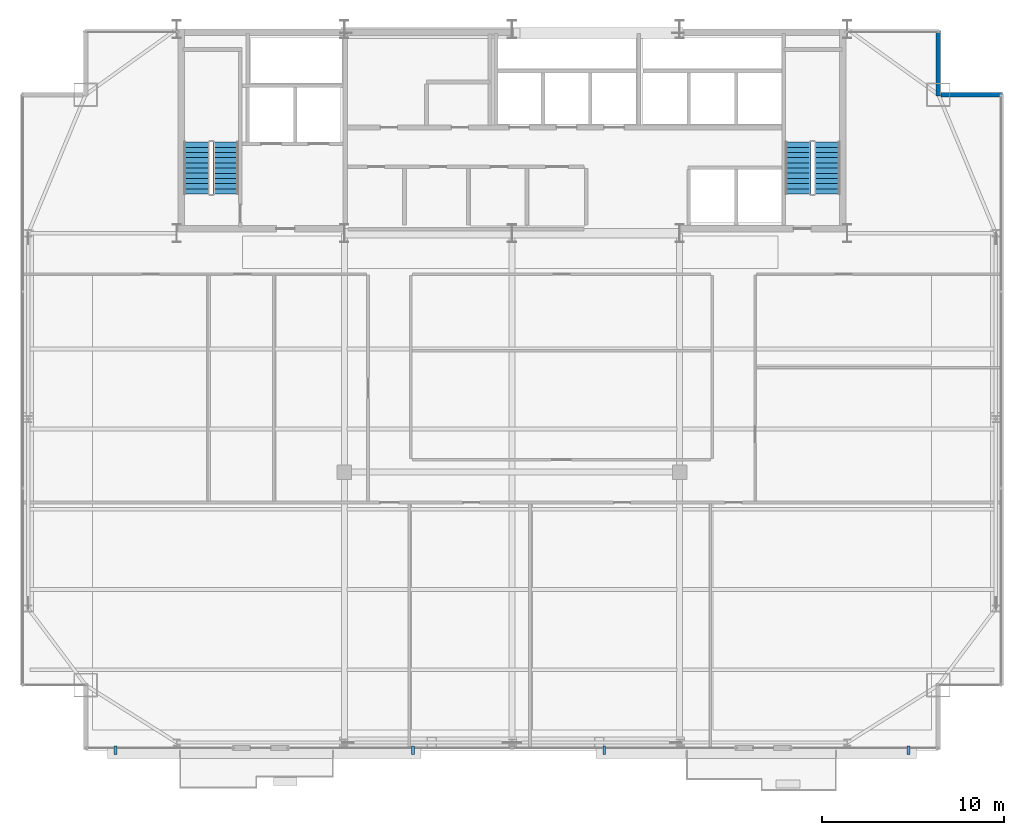
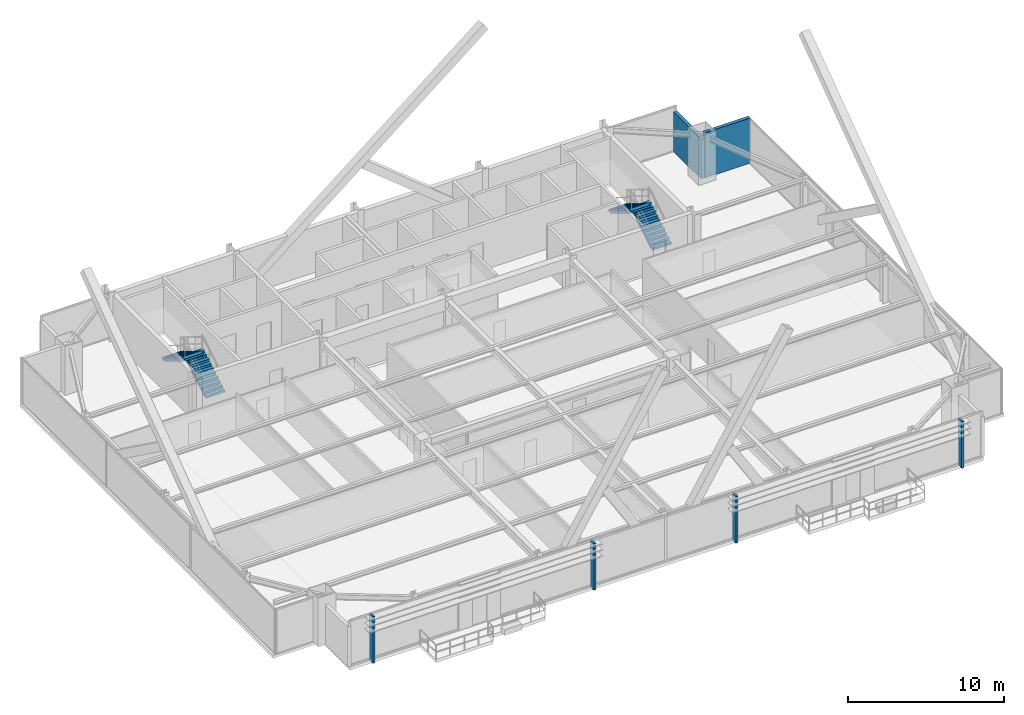
# One storey, part 32 of 34: 4 discrete accessories, 4 stair flights, 2 walls, 2 elements without a shape of their own.
"""IFC4 building model written with IfcOpenShell, lengths in metres."""

from ifc_helpers import new_model, si_unit, direction, frame, frame_2d, origin, origin_2d, place, context, subcontext, project, spatial, polyline, rectangle, outline, extrude, source, transform, mapped, material, layer, layer_set, type_object, type_shapes, element, aggregate, save


model = new_model("IFC4")

# Units and contexts
model_context = context("Model", 3, precision=1e-05, world=origin(), true_north=direction((0.0, 1.0)))
body_context = subcontext(model_context, "Body", "Model", "MODEL_VIEW")
ifc_project = project(units=[si_unit("LENGTHUNIT", "METRE"), si_unit("AREAUNIT", "SQUARE_METRE"), si_unit("VOLUMEUNIT", "CUBIC_METRE"), si_unit("PLANEANGLEUNIT", "RADIAN"), si_unit("MASSUNIT", "GRAM", prefix="KILO")], contexts=[model_context])

# Site, building, storey
site_placement = place(None, origin())
site = spatial("IfcSite", under=ifc_project, at=site_placement, CompositionType="ELEMENT")
building_placement = place(site_placement, origin())
building = spatial("IfcBuilding", under=site, at=building_placement, Name="Varnel Quay Broadcast Tower", CompositionType="ELEMENT")
storey_placement = place(building_placement, frame((0.0, 0.0, 176.199951171875)))
storey = spatial("IfcBuildingStorey", under=building, at=storey_placement, Name="L43", CompositionType="ELEMENT", Elevation=176.199951171875)

# Walls
ifc_material_1 = material(Name="Precast Architectural Concrete C40/50", Category="concrete")
ifc_layer_1 = layer(ifc_material_1, 0.25, Name="Precast Architectural Concrete C40/50")
ifc_layer_set_1 = layer_set([ifc_layer_1], Name="Precast Architectural Concrete C40/50")
wall_type = type_object("IfcWallType", Name="Wall_ExtTerrace250", PredefinedType="SOLIDWALL", material=ifc_layer_set_1)
wall_1_placement = place(storey_placement, frame((57.530029296875, 43.199951171875, 0.0), z_axis=(0.0, 0.0, 1.0), x_axis=(1.0, 0.0, 0.0)))
element("IfcWall", 1, at=wall_1_placement, inside=storey, type_object=wall_type, Name="L43 Mega-Column Notch Cladding Wall NNE1", PredefinedType="SOLIDWALL", context=body_context, shape_type="SweptSolid", body=[
    extrude(rectangle(XDim=3.389892578125, YDim=0.25, at=frame_2d((1.69482421875, 0.0))), origin(), (0.0, 0.0, 1.0), 3.530029296875),
])
wall_2_placement = place(storey_placement, frame((57.39990234375, 43.1201171875, 0.0), z_axis=(0.0, 0.0, 1.0), x_axis=(0.0, 1.0, 0.0)))
element("IfcWall", 2, at=wall_2_placement, inside=storey, type_object=wall_type, Name="L43 Mega-Column Notch Cladding Wall NNE2", PredefinedType="SOLIDWALL", context=body_context, shape_type="SweptSolid", body=[
    extrude(rectangle(XDim=3.599853515625, YDim=0.25, at=frame_2d((1.7998046875, 0.0))), origin(), (0.0, 0.0, 1.0), 3.108154296875),
])

# Stair, stair flights
ifc_material_2 = material(Name="Precast Structural Concrete C40/50", Category="concrete")
stair_type_1 = type_object("IfcStairType", Name="Stair_ST-01", PredefinedType="HALF_TURN_STAIR", material=ifc_material_2)
stair_1_placement = place(storey_placement, origin())
stair_1 = element("IfcStair", 3, at=stair_1_placement, inside=storey, type_object=stair_type_1, Name="L43 West Core Exit Stair 1", PredefinedType="HALF_TURN_STAIR")
stair_flight_type_1 = type_object("IfcStairFlightType", Name="Flight_ST-01", PredefinedType="STRAIGHT", material=ifc_material_2)
stair_flight_1_placement = place(storey_placement, frame((18.300048828125, 37.75, 0.0), z_axis=(0.0, 0.0, 1.0), x_axis=(0.0, 1.0, 0.0)))
stair_flight_1 = element("IfcStairFlight", 4, at=stair_flight_1_placement, type_object=stair_flight_type_1, Name="ST-01 flight 1", NumberOfRisers=11, NumberOfTreads=10, PredefinedType="STRAIGHT", RiserHeight=0.172727273, TreadLength=0.285, context=body_context, shape_type="SweptSolid", body=[
    extrude(outline(polyline([(0.0, 0.0), (0.0, 0.172607421875), (0.284912109375, 0.172607421875), (0.284912109375, 0.345458984375), (0.570068359375, 0.345458984375), (0.570068359375, 0.51806640625), (0.85498046875, 0.51806640625), (0.85498046875, 0.69091796875), (1.139892578125, 0.69091796875), (1.139892578125, 0.863525390625), (1.425048828125, 0.863525390625), (1.425048828125, 1.036376953125), (1.7099609375, 1.036376953125), (1.7099609375, 1.208984375), (1.9951171875, 1.208984375), (1.9951171875, 1.3818359375), (2.280029296875, 1.3818359375), (2.280029296875, 1.554443359375), (2.56494140625, 1.554443359375), (2.56494140625, 1.727294921875), (2.85009765625, 1.727294921875), (2.85009765625, 1.89990234375), (2.85009765625, 1.552001953125), (0.289306640625, 0.0), (0.0, 0.0)])), frame((0.0, 0.699951171875, 0.0), z_axis=(0.0, -1.0, 0.0), x_axis=(1.0, 0.0, 0.0)), (0.0, 0.0, 1.0), 1.39990234375),
])
stair_flight_2_placement = place(storey_placement, frame((16.699951171875, 40.60009765625, 1.900146484375), z_axis=(0.0, 0.0, 1.0), x_axis=(0.0, -1.0, 0.0)))
stair_flight_2 = element("IfcStairFlight", 5, at=stair_flight_2_placement, type_object=stair_flight_type_1, Name="ST-01 flight 2", NumberOfRisers=11, NumberOfTreads=10, PredefinedType="STRAIGHT", RiserHeight=0.172727273, TreadLength=0.285, context=body_context, shape_type="SweptSolid", body=[
    extrude(outline(polyline([(0.0, 0.0), (0.0, 0.172607421875), (0.284912109375, 0.172607421875), (0.284912109375, 0.345458984375), (0.570068359375, 0.345458984375), (0.570068359375, 0.51806640625), (0.85498046875, 0.51806640625), (0.85498046875, 0.69091796875), (1.139892578125, 0.69091796875), (1.139892578125, 0.863525390625), (1.425048828125, 0.863525390625), (1.425048828125, 1.036376953125), (1.7099609375, 1.036376953125), (1.7099609375, 1.208984375), (1.9951171875, 1.208984375), (1.9951171875, 1.3818359375), (2.280029296875, 1.3818359375), (2.280029296875, 1.554443359375), (2.56494140625, 1.554443359375), (2.56494140625, 1.727294921875), (2.85009765625, 1.727294921875), (2.85009765625, 1.89990234375), (2.85009765625, 1.552001953125), (0.289306640625, 0.0), (0.0, 0.0)])), frame((0.0, 0.699951171875, 0.0), z_axis=(0.0, -1.0, 0.0), x_axis=(1.0, 0.0, 0.0)), (0.0, 0.0, 1.0), 1.39990234375),
])
aggregate(stair_1, [stair_flight_1, stair_flight_2])

stair_type_2 = type_object("IfcStairType", Name="Stair_ST-02", PredefinedType="HALF_TURN_STAIR", material=ifc_material_2)
stair_2_placement = place(storey_placement, origin())
stair_2 = element("IfcStair", 6, at=stair_2_placement, inside=storey, type_object=stair_type_2, Name="L43 East Core Exit Stair 2", PredefinedType="HALF_TURN_STAIR")
stair_flight_type_2 = type_object("IfcStairFlightType", Name="Flight_ST-02", PredefinedType="STRAIGHT", material=ifc_material_2)
stair_flight_3_placement = place(storey_placement, frame((51.300048828125, 37.75, 0.0), z_axis=(0.0, 0.0, 1.0), x_axis=(0.0, 1.0, 0.0)))
stair_flight_3 = element("IfcStairFlight", 7, at=stair_flight_3_placement, type_object=stair_flight_type_2, Name="ST-02 flight 1", NumberOfRisers=11, NumberOfTreads=10, PredefinedType="STRAIGHT", RiserHeight=0.172727273, TreadLength=0.285, context=body_context, shape_type="SweptSolid", body=[
    extrude(outline(polyline([(0.0, 0.0), (0.0, 0.172607421875), (0.284912109375, 0.172607421875), (0.284912109375, 0.345458984375), (0.570068359375, 0.345458984375), (0.570068359375, 0.51806640625), (0.85498046875, 0.51806640625), (0.85498046875, 0.69091796875), (1.139892578125, 0.69091796875), (1.139892578125, 0.863525390625), (1.425048828125, 0.863525390625), (1.425048828125, 1.036376953125), (1.7099609375, 1.036376953125), (1.7099609375, 1.208984375), (1.9951171875, 1.208984375), (1.9951171875, 1.3818359375), (2.280029296875, 1.3818359375), (2.280029296875, 1.554443359375), (2.56494140625, 1.554443359375), (2.56494140625, 1.727294921875), (2.85009765625, 1.727294921875), (2.85009765625, 1.89990234375), (2.85009765625, 1.552001953125), (0.289306640625, 0.0), (0.0, 0.0)])), frame((0.0, 0.699951171875, 0.0), z_axis=(0.0, -1.0, 0.0), x_axis=(1.0, 0.0, 0.0)), (0.0, 0.0, 1.0), 1.39990234375),
])
stair_flight_4_placement = place(storey_placement, frame((49.699951171875, 40.60009765625, 1.900146484375), z_axis=(0.0, 0.0, 1.0), x_axis=(0.0, -1.0, 0.0)))
stair_flight_4 = element("IfcStairFlight", 8, at=stair_flight_4_placement, type_object=stair_flight_type_2, Name="ST-02 flight 2", NumberOfRisers=11, NumberOfTreads=10, PredefinedType="STRAIGHT", RiserHeight=0.172727273, TreadLength=0.285, context=body_context, shape_type="SweptSolid", body=[
    extrude(outline(polyline([(0.0, 0.0), (0.0, 0.172607421875), (0.284912109375, 0.172607421875), (0.284912109375, 0.345458984375), (0.570068359375, 0.345458984375), (0.570068359375, 0.51806640625), (0.85498046875, 0.51806640625), (0.85498046875, 0.69091796875), (1.139892578125, 0.69091796875), (1.139892578125, 0.863525390625), (1.425048828125, 0.863525390625), (1.425048828125, 1.036376953125), (1.7099609375, 1.036376953125), (1.7099609375, 1.208984375), (1.9951171875, 1.208984375), (1.9951171875, 1.3818359375), (2.280029296875, 1.3818359375), (2.280029296875, 1.554443359375), (2.56494140625, 1.554443359375), (2.56494140625, 1.727294921875), (2.85009765625, 1.727294921875), (2.85009765625, 1.89990234375), (2.85009765625, 1.552001953125), (0.289306640625, 0.0), (0.0, 0.0)])), frame((0.0, 0.699951171875, 0.0), z_axis=(0.0, -1.0, 0.0), x_axis=(1.0, 0.0, 0.0)), (0.0, 0.0, 1.0), 1.39990234375),
])
aggregate(stair_2, [stair_flight_3, stair_flight_4])

# Discrete accessories
ifc_material_3 = material(Name="Anodised Bronze Aluminium 6063-T6", Category="aluminium")
ifc_layer_2 = layer(ifc_material_3, 0.47998046875, Name="Anodised Bronze Aluminium 6063-T6")
ifc_layer_set_2 = layer_set([ifc_layer_2], Name="Anodised Bronze Aluminium 6063-T6")
discrete_accessory_type = type_object("IfcDiscreteAccessoryType", Name="Acc_FacadeBracket", PredefinedType="BRACKET", material=ifc_layer_set_2)
shared_shape = source(origin(), body_context, "Body", "SweptSolid", [
    extrude(rectangle(XDim=0.159912109375, YDim=0.47998046875, at=origin_2d()), origin(), (0.0, 0.0, 1.0), 3.64990234375),
])
type_shapes(discrete_accessory_type, [shared_shape])
for number, where, z_axis, x_axis, name in (
    (9, (12.25, 7.219970703125, -0.14990234375), (0.0, 0.0, 1.0), (1.0, 0.0, 0.0), "L43 Lobe 1 Louvre Support Bracket 1"),
    (10, (28.56298828125, 7.219970703125, -0.14990234375), (0.0, 0.0, 1.0), (1.0, 0.0, 0.0), "L43 Lobe 1 Louvre Support Bracket 2"),
    (11, (39.06298828125, 7.219970703125, -0.14990234375), (0.0, 0.0, 1.0), (1.0, 0.0, 0.0), "L43 Lobe 2 Louvre Support Bracket 1"),
    (12, (55.75, 7.219970703125, -0.14990234375), (0.0, 0.0, 1.0), (1.0, 0.0, 0.0), "L43 Lobe 2 Louvre Support Bracket 2"),
):
    element("IfcDiscreteAccessory", number, at=place(storey_placement, frame(where, z_axis=z_axis, x_axis=x_axis)), inside=storey, type_object=discrete_accessory_type, Name=name, PredefinedType="BRACKET", context=body_context, shape_type="MappedRepresentation", body=[
        mapped(shared_shape, transform((0.0, 0.0, 0.0), x_axis=(1.0, 0.0, 0.0), y_axis=(0.0, 1.0, 0.0), z_axis=(0.0, 0.0, 1.0), scale=1.0)),
    ])

save(model, "model.ifc")
